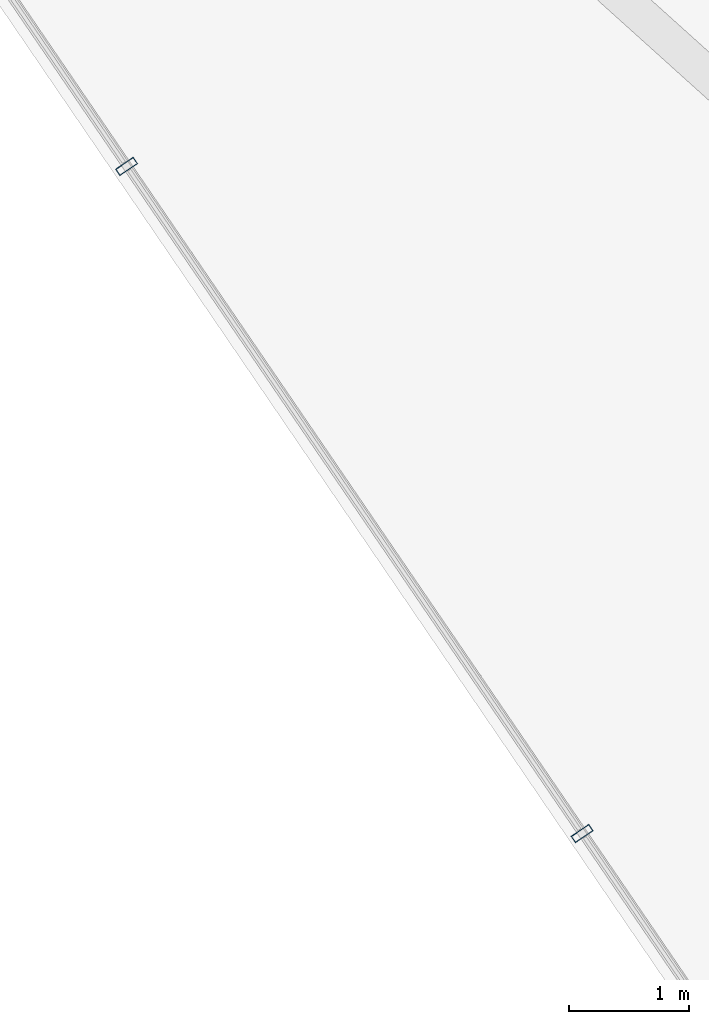
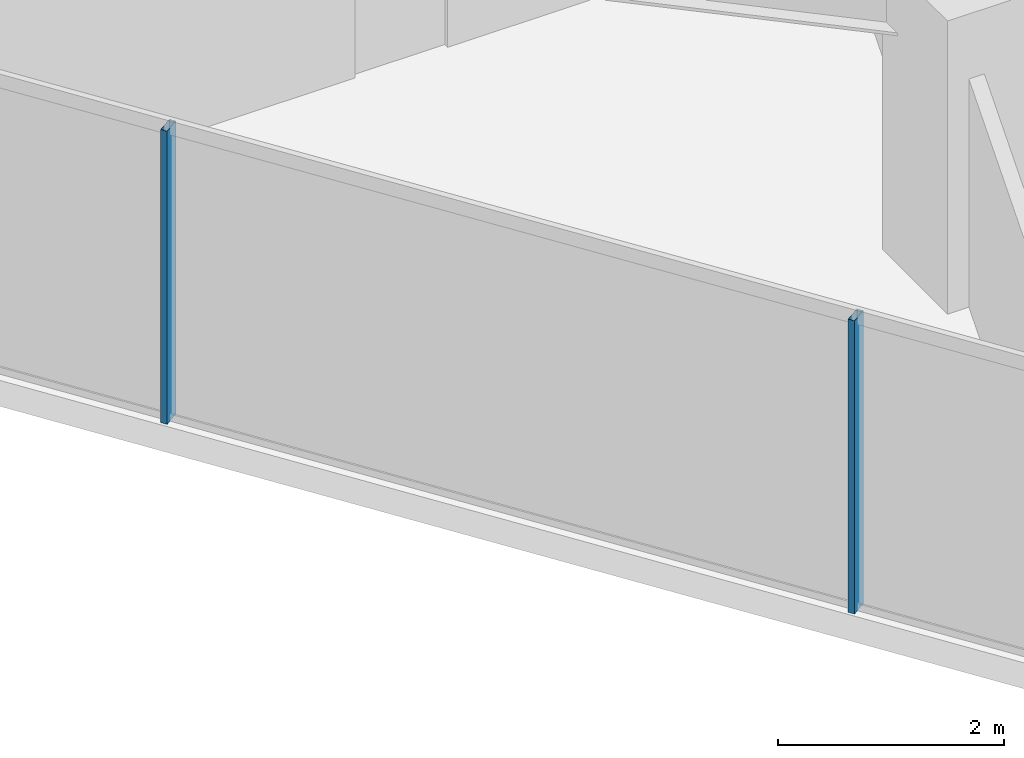
# One storey, part 2 of 30: 2 members, 1 element without a shape of its own.
"""IFC4 building model written with IfcOpenShell, lengths in metres."""

from ifc_helpers import new_model, si_unit, direction, frame, origin, origin_2d, place, context, subcontext, project, spatial, hollow_rectangle, extrude, material, layer, layer_set, material_profile, profile_set, type_object, element, aggregate, save


model = new_model("IFC4")

# Units and contexts
model_context = context("Model", 3, precision=1e-05, world=origin(), true_north=direction((0.0, 1.0)))
body_context = subcontext(model_context, "Body", "Model", "MODEL_VIEW")
ifc_project = project(units=[si_unit("LENGTHUNIT", "METRE"), si_unit("AREAUNIT", "SQUARE_METRE"), si_unit("VOLUMEUNIT", "CUBIC_METRE"), si_unit("PLANEANGLEUNIT", "RADIAN"), si_unit("MASSUNIT", "GRAM", prefix="KILO")], contexts=[model_context])

# Site, building, storey
site_placement = place(None, origin())
site = spatial("IfcSite", under=ifc_project, at=site_placement, CompositionType="ELEMENT")
building_placement = place(site_placement, origin())
building = spatial("IfcBuilding", under=site, at=building_placement, Name="Qarnah Convention Tower", CompositionType="ELEMENT")
storey_placement = place(building_placement, frame((0.0, 0.0, 83.25)))
storey = spatial("IfcBuildingStorey", under=building, at=storey_placement, Name="L21", CompositionType="ELEMENT", Elevation=83.25)

# Curtain wall, members
ifc_material_1 = material(Name="Tempered Low-E dark glass", Category="glass")
ifc_layer = layer(ifc_material_1, 0.169921875)
ifc_layer_set = layer_set([ifc_layer], Name="Tempered Low-E dark glass")
curtain_wall_type = type_object("IfcCurtainWallType", Name="CWS-02", PredefinedType="NOTDEFINED", material=ifc_layer_set)
curtain_wall_placement = place(storey_placement, origin())
curtain_wall = element("IfcCurtainWall", 1, at=curtain_wall_placement, inside=storey, type_object=curtain_wall_type, Name="L21 unitised curtain wall CW-L21-F3", PredefinedType="NOTDEFINED")
ifc_material_2 = material(Name="Black anodised aluminium", Category="aluminium")
ifc_material_profile = material_profile(ifc_material_2, hollow_rectangle(XDim=0.06494140625, YDim=0.179931640625, WallThickness=0.00390625, at=origin_2d()), Name="MUL-65X180")
ifc_profile_set = profile_set([ifc_material_profile], Name="Black anodised aluminium")
member_type = type_object("IfcMemberType", Name="MUL-T2", PredefinedType="MULLION", material=ifc_profile_set)
member_1_placement = place(storey_placement, frame((28.816162109375, 7.419921875, 0.0), z_axis=(0.0, 0.0, 1.0), x_axis=(-0.563812474561, 0.825902835404, 0.0)))
member_1 = element("IfcMember", 2, at=member_1_placement, type_object=member_type, Name="CW-L21-F3 mullion 2", PredefinedType="MULLION", context=body_context, shape_type="SweptSolid", body=[
    extrude(hollow_rectangle(XDim=0.06494140625, YDim=0.179931640625, WallThickness=0.00390625, at=origin_2d()), origin(), (0.0, 0.0, 1.0), 3.169921875),
])
member_2_placement = place(storey_placement, frame((25.00634765625, 13.00048828125, 0.0), z_axis=(0.0, 0.0, 1.0), x_axis=(-0.563812474561, 0.825902835404, 0.0)))
member_2 = element("IfcMember", 3, at=member_2_placement, type_object=member_type, Name="CW-L21-F3 mullion 3", PredefinedType="MULLION", context=body_context, shape_type="SweptSolid", body=[
    extrude(hollow_rectangle(XDim=0.06494140625, YDim=0.179931640625, WallThickness=0.00390625, at=origin_2d()), origin(), (0.0, 0.0, 1.0), 3.169921875),
])
aggregate(curtain_wall, [member_1, member_2])

save(model, "model.ifc")
